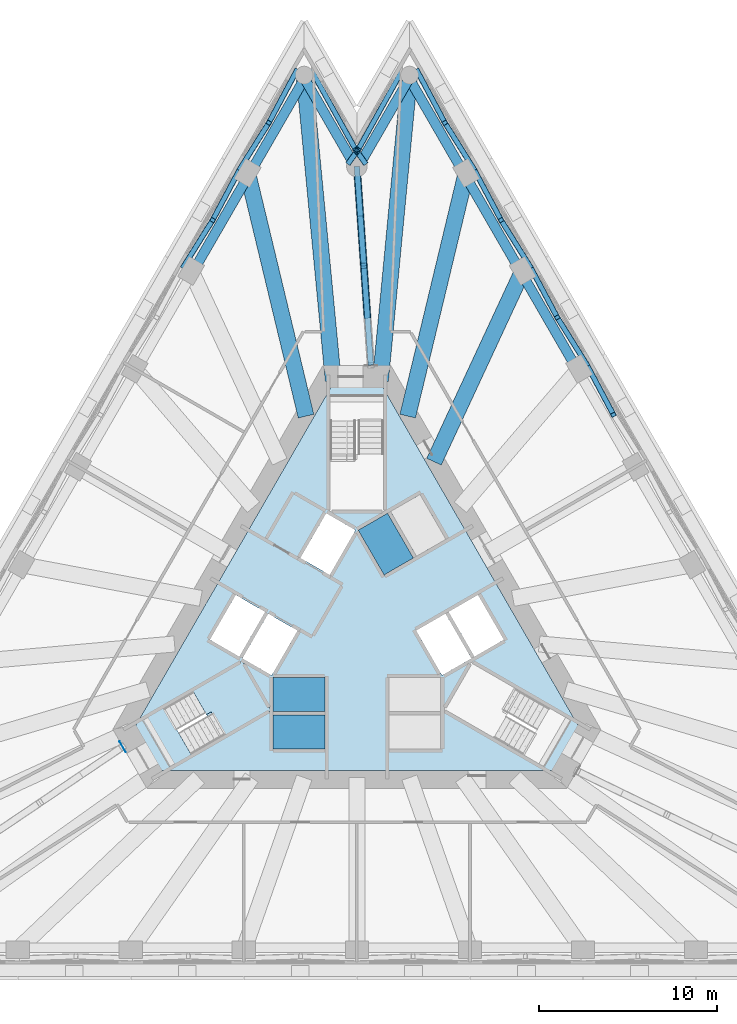
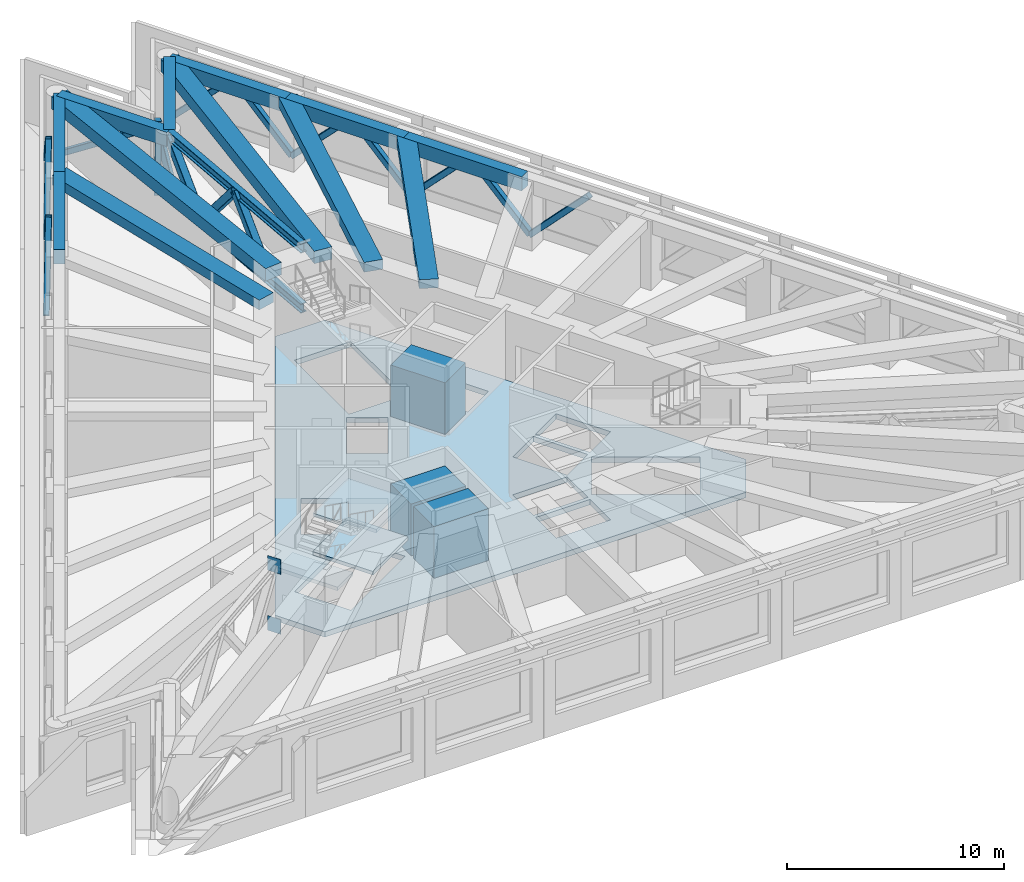
# One storey, part 3 of 12: 20 members, 12 beams, 7 slabs, 2 plates, 1 element without a shape of its own.
"""IFC4 building model written with IfcOpenShell, lengths in metres."""

from ifc_helpers import new_model, si_unit, direction, frame, origin, origin_2d, place, context, subcontext, project, spatial, polyline, rectangle, hollow_rectangle, i_section, outline, extrude, material, layer, layer_set, material_profile, profile_set, type_object, element, aggregate, save


model = new_model("IFC4")

# Units and contexts
model_context = context("Model", 3, precision=1e-05, world=origin(), true_north=direction((0.0, 1.0)))
body_context = subcontext(model_context, "Body", "Model", "MODEL_VIEW")
ifc_project = project(units=[si_unit("LENGTHUNIT", "METRE"), si_unit("AREAUNIT", "SQUARE_METRE"), si_unit("VOLUMEUNIT", "CUBIC_METRE"), si_unit("PLANEANGLEUNIT", "RADIAN"), si_unit("MASSUNIT", "GRAM", prefix="KILO")], contexts=[model_context])

# Site, building, storey
site_placement = place(None, origin())
site = spatial("IfcSite", under=ifc_project, at=site_placement, CompositionType="ELEMENT")
building_placement = place(site_placement, origin())
building = spatial("IfcBuilding", under=site, at=building_placement, Name="Triada Interchange Tower", CompositionType="ELEMENT")
storey_placement = place(building_placement, frame((0.0, 0.0, 180.800048828125)))
storey = spatial("IfcBuildingStorey", under=building, at=storey_placement, Name="L42", CompositionType="ELEMENT", Elevation=180.800048828125)

# Members
ifc_material_1 = material(Name="Steel S355", Category="steel")
ifc_material_profile_1 = material_profile(ifc_material_1, hollow_rectangle(XDim=0.300048828125, YDim=0.300048828125, WallThickness=0.01611328125, InnerFilletRadius=0.01611328125, OuterFilletRadius=0.02392578125, at=origin_2d()), Name="RHS 300x300x16")
ifc_profile_set_1 = profile_set([ifc_material_profile_1], Name="Steel S355")
member_type_1 = type_object("IfcMemberType", Name="Belt truss diagonal RHS 300x300x16", PredefinedType="BRACE", material=ifc_profile_set_1)
member_1_placement = place(storey_placement, frame((-3.3779296875, 31.22998046875, 0.14990234375), z_axis=(-0.330947555215, -0.619787712305, 0.711573543194), x_axis=(0.882119925303, -0.471024879793, 0.0)))
element("IfcMember", 1, at=member_1_placement, inside=storey, type_object=member_type_1, Name="Belt truss diagonal 001 L42", PredefinedType="BRACE", context=body_context, shape_type="SweptSolid", body=[
    extrude(hollow_rectangle(XDim=0.300048828125, YDim=0.300048828125, WallThickness=0.01611328125, InnerFilletRadius=0.01611328125, OuterFilletRadius=0.02392578125, at=origin_2d()), origin(), (0.0, 0.0, 1.0), 4.7080078125),
])
member_2_placement = place(storey_placement, frame((-6.548095703125, 25.739990234375, 0.14990234375), z_axis=(0.356591329401, 0.568936794675, 0.741048950786), x_axis=(-0.847324361973, 0.531075724927, 0.0)))
element("IfcMember", 2, at=member_2_placement, inside=storey, type_object=member_type_1, Name="Belt truss diagonal 002 L42", PredefinedType="BRACE", context=body_context, shape_type="SweptSolid", body=[
    extrude(hollow_rectangle(XDim=0.300048828125, YDim=0.300048828125, WallThickness=0.01611328125, InnerFilletRadius=0.01611328125, OuterFilletRadius=0.02392578125, at=origin_2d()), origin(), (0.0, 0.0, 1.0), 4.520751953125),
])
member_3_placement = place(storey_placement, frame((-6.548095703125, 25.739990234375, 0.14990234375), z_axis=(-0.328573478523, -0.616199158881, 0.715777944482), x_axis=(0.882392224952, -0.47051457081, 0.0)))
element("IfcMember", 3, at=member_3_placement, inside=storey, type_object=member_type_1, Name="Belt truss diagonal 003 L42", PredefinedType="BRACE", context=body_context, shape_type="SweptSolid", body=[
    extrude(hollow_rectangle(XDim=0.300048828125, YDim=0.300048828125, WallThickness=0.01611328125, InnerFilletRadius=0.01611328125, OuterFilletRadius=0.02392578125, at=origin_2d()), origin(), (0.0, 0.0, 1.0), 4.680419921875),
])
member_4_placement = place(storey_placement, frame((-9.717041015625, 20.25, 0.14990234375), z_axis=(0.35872552744, 0.573123227047, 0.73678067468), x_axis=(-0.847650133404, 0.530555606265, 0.0)))
element("IfcMember", 4, at=member_4_placement, inside=storey, type_object=member_type_1, Name="Belt truss diagonal 004 L42", PredefinedType="BRACE", context=body_context, shape_type="SweptSolid", body=[
    extrude(hollow_rectangle(XDim=0.300048828125, YDim=0.300048828125, WallThickness=0.01611328125, InnerFilletRadius=0.01611328125, OuterFilletRadius=0.02392578125, at=origin_2d()), origin(), (0.0, 0.0, 1.0), 4.546875),
])
member_5_placement = place(storey_placement, frame((12.886962890625, 14.760009765625, 0.14990234375), z_axis=(0.324233971551, -0.608677511046, 0.724143645446), x_axis=(0.882590069783, 0.470143349119, 0.0)))
element("IfcMember", 5, at=member_5_placement, inside=storey, type_object=member_type_1, Name="Belt truss diagonal 050 L42", PredefinedType="BRACE", context=body_context, shape_type="SweptSolid", body=[
    extrude(hollow_rectangle(XDim=0.300048828125, YDim=0.300048828125, WallThickness=0.01611328125, InnerFilletRadius=0.01611328125, OuterFilletRadius=0.02392578125, at=origin_2d()), origin(), (0.0, 0.0, 1.0), 4.626220703125),
])
member_6_placement = place(storey_placement, frame((12.886962890625, 14.760009765625, 0.14990234375), z_axis=(-0.3609602785, 0.577205485273, 0.732489935163), x_axis=(-0.847861716798, -0.530217416904, 0.0)))
element("IfcMember", 6, at=member_6_placement, inside=storey, type_object=member_type_1, Name="Belt truss diagonal 051 L42", PredefinedType="BRACE", context=body_context, shape_type="SweptSolid", body=[
    extrude(hollow_rectangle(XDim=0.300048828125, YDim=0.300048828125, WallThickness=0.01611328125, InnerFilletRadius=0.01611328125, OuterFilletRadius=0.02392578125, at=origin_2d()), origin(), (0.0, 0.0, 1.0), 4.573486328125),
])
member_7_placement = place(storey_placement, frame((9.717041015625, 20.25, 0.14990234375), z_axis=(0.326440456096, -0.612482462948, 0.719931844833), x_axis=(0.882482646576, 0.470344956912, 0.0)))
element("IfcMember", 7, at=member_7_placement, inside=storey, type_object=member_type_1, Name="Belt truss diagonal 052 L42", PredefinedType="BRACE", context=body_context, shape_type="SweptSolid", body=[
    extrude(hollow_rectangle(XDim=0.300048828125, YDim=0.300048828125, WallThickness=0.01611328125, InnerFilletRadius=0.01611328125, OuterFilletRadius=0.02392578125, at=origin_2d()), origin(), (0.0, 0.0, 1.0), 4.6533203125),
])
member_8_placement = place(storey_placement, frame((9.717041015625, 20.25, 0.14990234375), z_axis=(-0.35872552744, 0.573123227047, 0.73678067468), x_axis=(-0.847650133404, -0.530555606265, 0.0)))
element("IfcMember", 8, at=member_8_placement, inside=storey, type_object=member_type_1, Name="Belt truss diagonal 053 L42", PredefinedType="BRACE", context=body_context, shape_type="SweptSolid", body=[
    extrude(hollow_rectangle(XDim=0.300048828125, YDim=0.300048828125, WallThickness=0.01611328125, InnerFilletRadius=0.01611328125, OuterFilletRadius=0.02392578125, at=origin_2d()), origin(), (0.0, 0.0, 1.0), 4.546875),
])
member_9_placement = place(storey_placement, frame((6.548095703125, 25.739990234375, 0.14990234375), z_axis=(0.328573478523, -0.616199158881, 0.715777944482), x_axis=(0.882392224952, 0.47051457081, 0.0)))
element("IfcMember", 9, at=member_9_placement, inside=storey, type_object=member_type_1, Name="Belt truss diagonal 054 L42", PredefinedType="BRACE", context=body_context, shape_type="SweptSolid", body=[
    extrude(hollow_rectangle(XDim=0.300048828125, YDim=0.300048828125, WallThickness=0.01611328125, InnerFilletRadius=0.01611328125, OuterFilletRadius=0.02392578125, at=origin_2d()), origin(), (0.0, 0.0, 1.0), 4.680419921875),
])
member_10_placement = place(storey_placement, frame((6.548095703125, 25.739990234375, 0.14990234375), z_axis=(-0.356591329401, 0.568936794675, 0.741048950786), x_axis=(-0.847324361973, -0.531075724927, 0.0)))
element("IfcMember", 10, at=member_10_placement, inside=storey, type_object=member_type_1, Name="Belt truss diagonal 055 L42", PredefinedType="BRACE", context=body_context, shape_type="SweptSolid", body=[
    extrude(hollow_rectangle(XDim=0.300048828125, YDim=0.300048828125, WallThickness=0.01611328125, InnerFilletRadius=0.01611328125, OuterFilletRadius=0.02392578125, at=origin_2d()), origin(), (0.0, 0.0, 1.0), 4.520751953125),
])
member_11_placement = place(storey_placement, frame((3.3779296875, 31.22998046875, 0.14990234375), z_axis=(0.330947555215, -0.619787712305, 0.711573543194), x_axis=(0.882119925303, 0.471024879793, 0.0)))
element("IfcMember", 11, at=member_11_placement, inside=storey, type_object=member_type_1, Name="Belt truss diagonal 056 L42", PredefinedType="BRACE", context=body_context, shape_type="SweptSolid", body=[
    extrude(hollow_rectangle(XDim=0.300048828125, YDim=0.300048828125, WallThickness=0.01611328125, InnerFilletRadius=0.01611328125, OuterFilletRadius=0.02392578125, at=origin_2d()), origin(), (0.0, 0.0, 1.0), 4.7080078125),
])
member_12_placement = place(storey_placement, frame((2.530029296875, 31.22998046875, 0.14990234375), z_axis=(-0.406341530487, -0.729980985234, 0.549558296998), x_axis=(0.87375221934, -0.486371318232, 0.0)))
element("IfcMember", 12, at=member_12_placement, inside=storey, type_object=member_type_1, Name="Belt truss diagonal 057 L42", PredefinedType="BRACE", context=body_context, shape_type="SweptSolid", body=[
    extrude(hollow_rectangle(XDim=0.300048828125, YDim=0.300048828125, WallThickness=0.01611328125, InnerFilletRadius=0.01611328125, OuterFilletRadius=0.02392578125, at=origin_2d()), origin(), (0.0, 0.0, 1.0), 6.095947265625),
])
for number, where, z_axis, x_axis, name in (
    (13, (-0.424072265625, 26.113037109375, 0.14990234375), (0.138315626013, 0.19338704722, 0.971323961183), (-0.813371221334, 0.581745009695, 0.0), "Belt truss diagonal 058 L42"),
    (14, (0.424072265625, 26.113037109375, 0.14990234375), (-0.138315626013, 0.19338704722, 0.971323961183), (-0.813371221334, -0.581745009695, 0.0), "Belt truss diagonal 059 L42"),
):
    element("IfcMember", number, at=place(storey_placement, frame(where, z_axis=z_axis, x_axis=x_axis)), inside=storey, type_object=member_type_1, Name=name, PredefinedType="BRACE", context=body_context, shape_type="SweptSolid", body=[
        extrude(hollow_rectangle(XDim=0.300048828125, YDim=0.300048828125, WallThickness=0.01611328125, InnerFilletRadius=0.01611328125, OuterFilletRadius=0.02392578125, at=origin_2d()), origin(), (0.0, 0.0, 1.0), 3.448974609375),
    ])
member_13_placement = place(storey_placement, frame((-2.530029296875, 31.22998046875, 0.14990234375), z_axis=(0.406341530487, -0.729980985234, 0.549558296998), x_axis=(0.87375221934, 0.486371318232, 0.0)))
element("IfcMember", 15, at=member_13_placement, inside=storey, type_object=member_type_1, Name="Belt truss diagonal 060 L42", PredefinedType="BRACE", context=body_context, shape_type="SweptSolid", body=[
    extrude(hollow_rectangle(XDim=0.300048828125, YDim=0.300048828125, WallThickness=0.01611328125, InnerFilletRadius=0.01611328125, OuterFilletRadius=0.02392578125, at=origin_2d()), origin(), (0.0, 0.0, 1.0), 6.095947265625),
])
ifc_material_2 = material(Name="Steel S460M", Category="steel")
ifc_material_profile_2 = material_profile(ifc_material_2, i_section(OverallWidth=0.305908203125, OverallDepth=0.52392578125, WebThickness=0.02099609375, FlangeThickness=0.0400390625, FilletRadius=0.027099609375, at=origin_2d()), Name="HEM 500")
ifc_profile_set_2 = profile_set([ifc_material_profile_2], Name="Steel S460M")
member_type_2 = type_object("IfcMemberType", Name="Outrigger chord HEM 500", PredefinedType="CHORD", material=ifc_profile_set_2)
for number, where, z_axis, x_axis, name in (
    (16, (0.782958984375, 14.718017578125, 0.261962890625), (-0.070048658797, 0.99754357569, 0.0), (-0.99754357569, -0.070048658797, 0.0), "Outrigger bottom chord N L42"),
    (17, (0.782958984375, 14.718017578125, 3.637939453125), (-0.070048658797, 0.99754357569, 0.0), (-0.99754357569, -0.070048658797, 0.0), "Outrigger top chord N L42"),
):
    element("IfcMember", number, at=place(storey_placement, frame(where, z_axis=z_axis, x_axis=x_axis)), inside=storey, type_object=member_type_2, Name=name, PredefinedType="CHORD", context=body_context, shape_type="SweptSolid", body=[
        extrude(i_section(OverallWidth=0.305908203125, OverallDepth=0.52392578125, WebThickness=0.02099609375, FlangeThickness=0.0400390625, FilletRadius=0.027099609375, at=origin_2d()), origin(), (0.0, 0.0, 1.0), 11.17724609375),
    ])
ifc_material_profile_3 = material_profile(ifc_material_1, hollow_rectangle(XDim=0.39990234375, YDim=0.39990234375, WallThickness=0.02001953125, InnerFilletRadius=0.02001953125, OuterFilletRadius=0.030029296875, at=origin_2d()), Name="RHS 400x400x20")
ifc_profile_set_3 = profile_set([ifc_material_profile_3], Name="Steel S355")
member_type_3 = type_object("IfcMemberType", Name="Outrigger diagonal RHS 400x400x20", PredefinedType="BRACE", material=ifc_profile_set_3)
member_14_placement = place(storey_placement, frame((0.5869140625, 17.5048828125, 0.261962890625), z_axis=(-0.044674765409, 0.63614192141, 0.770277626029), x_axis=(-0.997543121262, -0.070055129882, 0.0)))
element("IfcMember", 18, at=member_14_placement, inside=storey, type_object=member_type_3, Name="Outrigger diagonal N 2 L42", PredefinedType="BRACE", context=body_context, shape_type="SweptSolid", body=[
    extrude(hollow_rectangle(XDim=0.39990234375, YDim=0.39990234375, WallThickness=0.02001953125, InnerFilletRadius=0.02001953125, OuterFilletRadius=0.030029296875, at=origin_2d()), origin(), (0.0, 0.0, 1.0), 4.3828125),
])
member_15_placement = place(storey_placement, frame((0.39111328125, 20.29296875, 3.637939453125), z_axis=(-0.044514293514, 0.636013985925, -0.770392554079), x_axis=(-0.997559697522, -0.069818692915, 0.0)))
element("IfcMember", 19, at=member_15_placement, inside=storey, type_object=member_type_3, Name="Outrigger diagonal N 3 L42", PredefinedType="BRACE", context=body_context, shape_type="SweptSolid", body=[
    extrude(hollow_rectangle(XDim=0.39990234375, YDim=0.39990234375, WallThickness=0.02001953125, InnerFilletRadius=0.02001953125, OuterFilletRadius=0.030029296875, at=origin_2d()), origin(), (0.0, 0.0, 1.0), 4.382080078125),
])
member_16_placement = place(storey_placement, frame((0.196044921875, 23.080078125, 0.261962890625), z_axis=(-0.044731943283, 0.636107173537, 0.770303003386), x_axis=(-0.997536583384, -0.070148163277, 0.0)))
element("IfcMember", 20, at=member_16_placement, inside=storey, type_object=member_type_3, Name="Outrigger diagonal N 4 L42", PredefinedType="BRACE", context=body_context, shape_type="SweptSolid", body=[
    extrude(hollow_rectangle(XDim=0.39990234375, YDim=0.39990234375, WallThickness=0.02001953125, InnerFilletRadius=0.02001953125, OuterFilletRadius=0.030029296875, at=origin_2d()), origin(), (0.0, 0.0, 1.0), 4.382568359375),
])

# Beams
ifc_material_3 = material(Name="Concrete C50/60", Category="concrete")
ifc_material_profile_4 = material_profile(ifc_material_3, rectangle(XDim=0.89990234375, YDim=0.5, at=origin_2d()), Name="RC 900x500")
ifc_profile_set_4 = profile_set([ifc_material_profile_4], Name="Concrete C50/60")
beam_type_1 = type_object("IfcBeamType", Name="Radial band beam B RC 900x500", PredefinedType="BEAM", material=ifc_profile_set_4)
beam_1_placement = place(storey_placement, frame((9.237060546875, 19.883056640625, 3.64990234375), z_axis=(-0.421306323564, -0.906918398603, 0.0), x_axis=(0.906918398603, -0.421306323564, 0.0)))
element("IfcBeam", 21, at=beam_1_placement, inside=storey, type_object=beam_type_1, Name="Radial band beam BB27 L43", PredefinedType="BEAM", context=body_context, shape_type="SweptSolid", body=[
    extrude(rectangle(XDim=0.89990234375, YDim=0.5, at=origin_2d()), origin(), (0.0, 0.0, 1.0), 11.6591796875),
])
ifc_material_profile_5 = material_profile(ifc_material_3, rectangle(XDim=0.89990234375, YDim=0.550048828125, at=origin_2d()), Name="RC 900x550")
ifc_profile_set_5 = profile_set([ifc_material_profile_5], Name="Concrete C50/60")
beam_type_2 = type_object("IfcBeamType", Name="Radial band beam B RC 900x550", PredefinedType="BEAM", material=ifc_profile_set_5)
for number, where, z_axis, x_axis, name in (
    (22, (-6.0869140625, 25.339111328125, 3.625), (0.233563507912, -0.972341548928, 0.0), (0.972341548928, 0.233563507912, 0.0), "Radial band beam BB02 L43"),
    (23, (6.0869140625, 25.339111328125, 3.625), (-0.233563507912, -0.972341548928, 0.0), (0.972341548928, -0.233563507912, 0.0), "Radial band beam BB28 L43"),
):
    element("IfcBeam", number, at=place(storey_placement, frame(where, z_axis=z_axis, x_axis=x_axis)), inside=storey, type_object=beam_type_2, Name=name, PredefinedType="BEAM", context=body_context, shape_type="SweptSolid", body=[
        extrude(rectangle(XDim=0.89990234375, YDim=0.550048828125, at=origin_2d()), origin(), (0.0, 0.0, 1.0), 13.8583984375),
    ])
ifc_material_profile_6 = material_profile(ifc_material_3, rectangle(XDim=0.89990234375, YDim=0.699951171875, at=origin_2d()), Name="RC 900x700")
ifc_profile_set_6 = profile_set([ifc_material_profile_6], Name="Concrete C50/60")
beam_type_3 = type_object("IfcBeamType", Name="Radial band beam B RC 900x700", PredefinedType="BEAM", material=ifc_profile_set_6)
for number, where, z_axis, x_axis, name in (
    (24, (-2.93701171875, 30.794921875, 3.550048828125), (0.094935663937, -0.995483410064, 0.0), (0.995483410064, 0.094935663937, 0.0), "Radial band beam BB01 L43"),
    (25, (2.93701171875, 30.794921875, 3.550048828125), (-0.094935663937, -0.995483410064, 0.0), (0.995483410064, -0.094935663937, 0.0), "Radial band beam BB29 L43"),
):
    element("IfcBeam", number, at=place(storey_placement, frame(where, z_axis=z_axis, x_axis=x_axis)), inside=storey, type_object=beam_type_3, Name=name, PredefinedType="BEAM", context=body_context, shape_type="SweptSolid", body=[
        extrude(rectangle(XDim=0.89990234375, YDim=0.699951171875, at=origin_2d()), origin(), (0.0, 0.0, 1.0), 17.021728515625),
    ])
ifc_material_profile_7 = material_profile(ifc_material_3, rectangle(XDim=0.550048828125, YDim=0.800048828125, at=origin_2d()), Name="RC 550x800")
ifc_profile_set_7 = profile_set([ifc_material_profile_7], Name="Concrete C50/60")
beam_type_4 = type_object("IfcBeamType", Name="Spandrel beam B RC 550x800", PredefinedType="BEAM", material=ifc_profile_set_7)
beam_2_placement = place(storey_placement, frame((-2.93701171875, 30.794921875, 3.5), z_axis=(-0.499998649469, -0.866026183513, 0.0), x_axis=(0.866026183513, -0.499998649469, 0.0)))
element("IfcBeam", 26, at=beam_2_placement, inside=storey, type_object=beam_type_4, Name="Spandrel beam EB01 L43", PredefinedType="BEAM", context=body_context, shape_type="SweptSolid", body=[
    extrude(rectangle(XDim=0.550048828125, YDim=0.800048828125, at=origin_2d()), origin(), (0.0, 0.0, 1.0), 6.2998046875),
])
for number, where, z_axis, x_axis, name in (
    (27, (-6.0869140625, 25.339111328125, 3.5), (-0.500010933242, -0.866019091382, 0.0), (0.866019091382, -0.500010933242, 0.0), "Spandrel beam EB02 L43"),
    (28, (12.386962890625, 14.427001953125, 3.5), (-0.499981869177, 0.866035871367, 0.0), (-0.866035871367, -0.499981869177, 0.0), "Spandrel beam EB26 L43"),
    (29, (9.237060546875, 19.883056640625, 3.5), (-0.500010933242, 0.866019091382, 0.0), (-0.866019091382, -0.500010933242, 0.0), "Spandrel beam EB27 L43"),
):
    element("IfcBeam", number, at=place(storey_placement, frame(where, z_axis=z_axis, x_axis=x_axis)), inside=storey, type_object=beam_type_4, Name=name, PredefinedType="BEAM", context=body_context, shape_type="SweptSolid", body=[
        extrude(rectangle(XDim=0.550048828125, YDim=0.800048828125, at=origin_2d()), origin(), (0.0, 0.0, 1.0), 6.300048828125),
    ])
beam_3_placement = place(storey_placement, frame((6.0869140625, 25.339111328125, 3.5), z_axis=(-0.499998649469, 0.866026183513, 0.0), x_axis=(-0.866026183513, -0.499998649469, 0.0)))
element("IfcBeam", 30, at=beam_3_placement, inside=storey, type_object=beam_type_4, Name="Spandrel beam EB28 L43", PredefinedType="BEAM", context=body_context, shape_type="SweptSolid", body=[
    extrude(rectangle(XDim=0.550048828125, YDim=0.800048828125, at=origin_2d()), origin(), (0.0, 0.0, 1.0), 6.2998046875),
])
for number, where, z_axis, x_axis, name in (
    (31, (2.93701171875, 30.794921875, 3.5), (-0.500010280449, -0.866019468283, 0.0), (0.866019468283, -0.500010280449, 0.0), "Spandrel beam EB29 L43"),
    (32, (0.0, 25.7080078125, 3.5), (-0.500010280449, 0.866019468283, 0.0), (-0.866019468283, -0.500010280449, 0.0), "Spandrel beam EB30 L43"),
):
    element("IfcBeam", number, at=place(storey_placement, frame(where, z_axis=z_axis, x_axis=x_axis)), inside=storey, type_object=beam_type_4, Name=name, PredefinedType="BEAM", context=body_context, shape_type="SweptSolid", body=[
        extrude(rectangle(XDim=0.550048828125, YDim=0.800048828125, at=origin_2d()), origin(), (0.0, 0.0, 1.0), 5.8740234375),
    ])

# Slabs
ifc_layer_1 = layer(ifc_material_3, 0.300048828125)
ifc_layer_set_1 = layer_set([ifc_layer_1], Name="Floor slab 300")
slab_type_1 = type_object("IfcSlabType", Name="Floor slab 300", PredefinedType="FLOOR", material=ifc_layer_set_1)
slab_1_placement = place(storey_placement, frame((0.0, 0.0, -0.300048828125)))
element("IfcSlab", 33, at=slab_1_placement, inside=storey, type_object=slab_type_1, Name="Core floor slab L42 1", PredefinedType="FLOOR", context=body_context, shape_type="SweptSolid", body=[
    extrude(outline(polyline([(12.529052734375, -5.699951171875), (11.200927734375, -8.0), (-11.200927734375, -8.0), (-12.529052734375, -5.699951171875), (-1.327880859375, 13.699951171875), (1.327880859375, 13.699951171875), (12.529052734375, -5.699951171875)]), holes=[polyline([(9.2958984375, -7.09912109375), (10.7958984375, -4.5009765625), (6.466064453125, -2.0009765625), (4.966064453125, -4.59912109375), (9.2958984375, -7.09912109375)]), polyline([(6.7890625, 1.841064453125), (5.14404296875, 0.89111328125), (6.593994140625, -1.6201171875), (8.239013671875, -0.669921875), (6.7890625, 1.841064453125)]), polyline([(4.77490234375, -2.669921875), (6.419921875, -1.719970703125), (4.969970703125, 0.791015625), (3.743896484375, 0.0830078125), (3.324951171875, -0.158935546875), (4.77490234375, -2.669921875)]), polyline([(1.89404296875, 6.52001953125), (3.343994140625, 4.009033203125), (4.989013671875, 4.958984375), (3.5390625, 7.469970703125), (1.89404296875, 6.52001953125)]), polyline([(1.800048828125, -5.10595703125), (1.800048828125, -6.800048828125), (4.699951171875, -6.800048828125), (4.699951171875, -4.89990234375), (1.800048828125, -4.89990234375), (1.800048828125, -5.10595703125)]), polyline([(4.699951171875, -2.800048828125), (1.800048828125, -2.800048828125), (1.800048828125, -4.699951171875), (4.699951171875, -4.699951171875), (4.699951171875, -2.800048828125)]), polyline([(0.074951171875, 5.469970703125), (1.52490234375, 2.958984375), (3.169921875, 3.908935546875), (1.719970703125, 6.419921875), (0.074951171875, 5.469970703125)]), polyline([(1.5, 11.60009765625), (-1.5, 11.60009765625), (-1.5, 6.60009765625), (1.5, 6.60009765625), (1.5, 11.60009765625)]), polyline([(-1.52490234375, 2.958984375), (-0.074951171875, 5.469970703125), (-1.719970703125, 6.419921875), (-3.169921875, 3.908935546875), (-1.52490234375, 2.958984375)]), polyline([(-1.800048828125, -2.800048828125), (-4.699951171875, -2.800048828125), (-4.699951171875, -4.699951171875), (-1.800048828125, -4.699951171875), (-1.800048828125, -2.800048828125)]), polyline([(-4.699951171875, -6.800048828125), (-1.800048828125, -6.800048828125), (-1.800048828125, -5.10595703125), (-1.800048828125, -4.89990234375), (-4.699951171875, -4.89990234375), (-4.699951171875, -6.800048828125)]), polyline([(-3.324951171875, -0.158935546875), (-3.68896484375, 0.051025390625), (-4.969970703125, 0.791015625), (-6.419921875, -1.719970703125), (-4.77490234375, -2.669921875), (-3.324951171875, -0.158935546875)]), polyline([(-10.7958984375, -4.5009765625), (-9.2958984375, -7.09912109375), (-4.966064453125, -4.59912109375), (-6.466064453125, -2.0009765625), (-10.7958984375, -4.5009765625)]), polyline([(-6.593994140625, -1.6201171875), (-5.14404296875, 0.89111328125), (-6.7890625, 1.841064453125), (-8.239013671875, -0.669921875), (-6.593994140625, -1.6201171875)])]), origin(), (0.0, 0.0, 1.0), 0.300048828125),
])
ifc_material_4 = material(Name="Concrete C30/37", Category="concrete")
ifc_layer_2 = layer(ifc_material_4, 0.300048828125)
ifc_layer_set_2 = layer_set([ifc_layer_2], Name="LIFT PIT SLAB 300")
slab_type_2 = type_object("IfcSlabType", Name="LIFT PIT SLAB 300", PredefinedType="BASESLAB", material=ifc_layer_set_2)
slab_2_placement = place(storey_placement, origin())
element("IfcSlab", 34, at=slab_2_placement, inside=storey, type_object=slab_type_2, Name="Lift pit slab HR3", PredefinedType="BASESLAB", context=body_context, shape_type="SweptSolid", body=[
    extrude(outline(polyline([(-1.800048828125, -4.699951171875), (-4.699951171875, -4.699951171875), (-4.699951171875, -2.800048828125), (-1.800048828125, -2.800048828125), (-1.800048828125, -4.699951171875)])), origin(), (0.0, 0.0, 1.0), 2.89990234375),
])
slab_3_placement = place(storey_placement, origin())
element("IfcSlab", 35, at=slab_3_placement, inside=storey, type_object=slab_type_2, Name="Lift pit slab HR4", PredefinedType="BASESLAB", context=body_context, shape_type="SweptSolid", body=[
    extrude(outline(polyline([(-1.800048828125, -5.4150390625), (-1.800048828125, -6.800048828125), (-4.699951171875, -6.800048828125), (-4.699951171875, -4.89990234375), (-1.800048828125, -4.89990234375), (-1.800048828125, -5.4150390625)])), origin(), (0.0, 0.0, 1.0), 2.89990234375),
])
slab_4_placement = place(storey_placement, origin())
element("IfcSlab", 36, at=slab_4_placement, inside=storey, type_object=slab_type_2, Name="Lift pit slab HR5", PredefinedType="BASESLAB", context=body_context, shape_type="SweptSolid", body=[
    extrude(outline(polyline([(1.719970703125, 6.419921875), (3.169921875, 3.908935546875), (1.68994140625, 3.053955078125), (1.52490234375, 2.958984375), (0.074951171875, 5.469970703125), (1.719970703125, 6.419921875)])), origin(), (0.0, 0.0, 1.0), 2.89990234375),
])

# Plates
ifc_layer_3 = layer(ifc_material_2, 0.01806640625)
ifc_layer_set_3 = layer_set([ifc_layer_3], Name="Outrigger end plate 18")
plate_type = type_object("IfcPlateType", Name="Outrigger end plate 18", PredefinedType="SHEET", material=ifc_layer_set_3)
for number, where, z_axis, x_axis, name in (
    (37, (-13.1298828125, -6.677001953125, -0.14990234375), (0.0, 0.0, 1.0), (-0.866025403784, -0.5, 0.0), "Outrigger end plate SW bottom L42"),
    (38, (-13.1298828125, -6.677001953125, 3.22607421875), (0.0, 0.0, 1.0), (-0.866025403784, -0.5, 0.0), "Outrigger end plate SW top L42"),
):
    element("IfcPlate", number, at=place(storey_placement, frame(where, z_axis=z_axis, x_axis=x_axis)), inside=storey, type_object=plate_type, Name=name, PredefinedType="SHEET", context=body_context, shape_type="SweptSolid", body=[
        extrude(rectangle(XDim=0.01806640625, YDim=0.699951171875, at=origin_2d()), origin(), (0.0, 0.0, 1.0), 0.823974609375),
    ])

# Stair, slabs
ifc_material_5 = material(Name="Concrete C35/45", Category="concrete")
stair_type = type_object("IfcStairType", Name="HALF TURN STAIR 1400", PredefinedType="HALF_TURN_STAIR", material=ifc_material_5)
stair_placement = place(storey_placement, origin())
stair = element("IfcStair", 39, at=stair_placement, inside=storey, type_object=stair_type, Name="Exit stair S42-2", PredefinedType="HALF_TURN_STAIR")
ifc_layer_4 = layer(ifc_material_5, 0.199951171875)
ifc_layer_set_4 = layer_set([ifc_layer_4], Name="STAIR LANDING 200")
slab_type_3 = type_object("IfcSlabType", Name="STAIR LANDING 200", PredefinedType="LANDING", material=ifc_layer_set_4)
slab_5_placement = place(storey_placement, frame((0.0, 0.0, 0.88623046875)))
slab_5 = element("IfcSlab", 40, at=slab_5_placement, type_object=slab_type_3, Name="S42-2 landing 1", PredefinedType="LANDING", context=body_context, shape_type="SweptSolid", body=[
    extrude(outline(polyline([(-6.428955078125, -1.864013671875), (-9.235107421875, -3.48388671875), (-7.635009765625, -6.256103515625), (-4.8291015625, -4.635986328125), (-6.428955078125, -1.864013671875)])), origin(), (0.0, 0.0, 1.0), 0.199951171875),
])
slab_6_placement = place(storey_placement, frame((0.0, 0.0, 3.05859375)))
slab_6 = element("IfcSlab", 41, at=slab_6_placement, type_object=slab_type_3, Name="S42-2 landing 2", PredefinedType="LANDING", context=body_context, shape_type="SweptSolid", body=[
    extrude(outline(polyline([(-6.428955078125, -1.864013671875), (-9.235107421875, -3.48388671875), (-8.43505859375, -4.8701171875), (-8.1669921875, -4.715087890625), (-7.366943359375, -6.10107421875), (-4.8291015625, -4.635986328125), (-6.428955078125, -1.864013671875)])), origin(), (0.0, 0.0, 1.0), 0.199951171875),
])
slab_7_placement = place(storey_placement, frame((0.0, 0.0, 1.972412109375)))
slab_7 = element("IfcSlab", 42, at=slab_7_placement, type_object=slab_type_3, Name="S42-2 landing 3", PredefinedType="LANDING", context=body_context, shape_type="SweptSolid", body=[
    extrude(outline(polyline([(-10.845947265625, -4.4140625), (-12.05810546875, -5.114013671875), (-10.4580078125, -7.885986328125), (-9.24609375, -7.18603515625), (-10.845947265625, -4.4140625)])), origin(), (0.0, 0.0, 1.0), 0.199951171875),
])
aggregate(stair, [slab_5, slab_6, slab_7])

save(model, "model.ifc")
